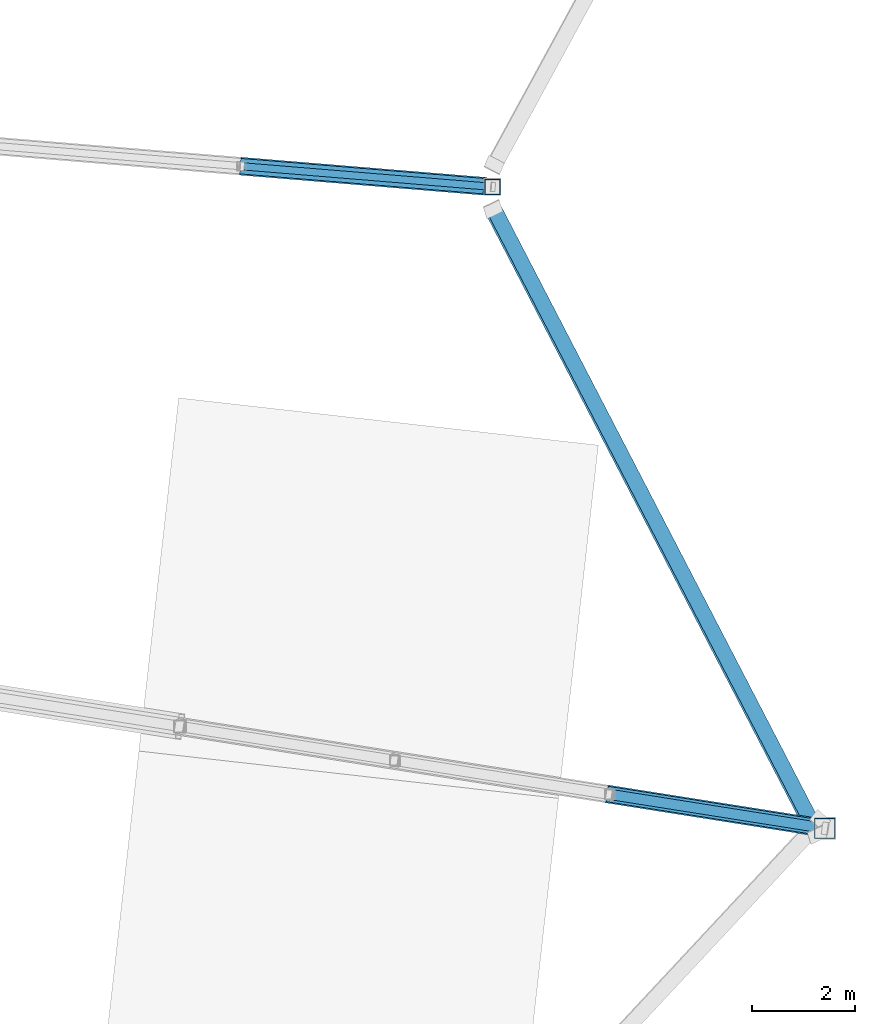
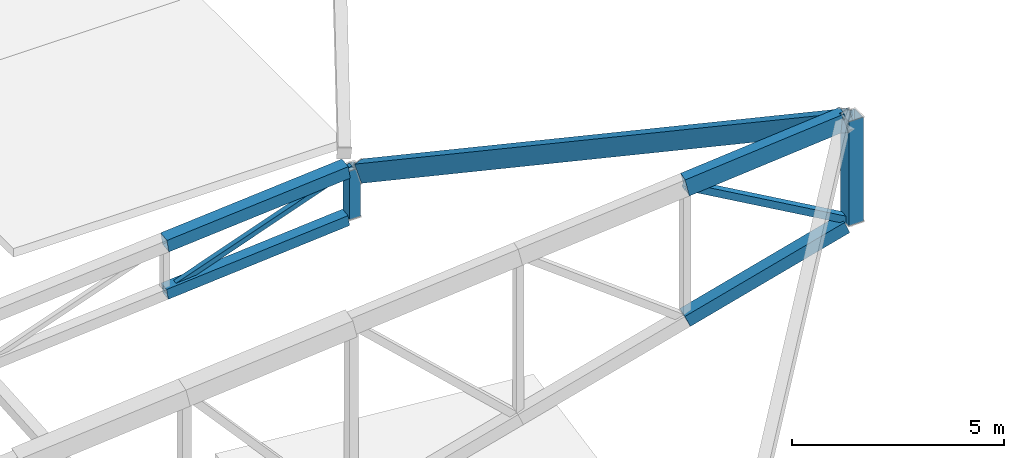
# One storey, part 52 of 188: 8 members, 1 beam.
"""IFC4 building model written with IfcOpenShell, lengths in metres."""

from ifc_helpers import new_model, si_unit, direction, frame, origin, origin_2d, place, context, subcontext, project, spatial, hollow_rectangle, extrude, material, material_profile, profile_set, type_object, element, save


model = new_model("IFC4")

# Units and contexts
model_context = context("Model", 3, precision=1e-05, world=origin(), true_north=direction((0.0, 1.0)))
body_context = subcontext(model_context, "Body", "Model", "MODEL_VIEW")
ifc_project = project(units=[si_unit("LENGTHUNIT", "METRE"), si_unit("AREAUNIT", "SQUARE_METRE"), si_unit("VOLUMEUNIT", "CUBIC_METRE"), si_unit("PLANEANGLEUNIT", "RADIAN"), si_unit("MASSUNIT", "GRAM", prefix="KILO")], contexts=[model_context])

# Site, building, storey
site_placement = place(None, origin())
site = spatial("IfcSite", under=ifc_project, at=site_placement, CompositionType="ELEMENT")
building_placement = place(site_placement, origin())
building = spatial("IfcBuilding", under=site, at=building_placement, Name="Meseta Stadium", CompositionType="ELEMENT")
storey_placement = place(building_placement, frame((0.0, 0.0, 30.0)))
storey = spatial("IfcBuildingStorey", under=building, at=storey_placement, Name="ROOF", CompositionType="ELEMENT", Elevation=30.0)

# Beam
ifc_material_1 = material(Name="Steel S355", Category="steel")
ifc_material_profile_1 = material_profile(ifc_material_1, hollow_rectangle(XDim=0.300048828125, YDim=0.5, WallThickness=0.01611328125, at=origin_2d()), Name="RHS 500x300x16")
ifc_profile_set_1 = profile_set([ifc_material_profile_1], Name="Steel S355")
beam_type = type_object("IfcBeamType", Name="RHS 500x300x16 rim ring beam", PredefinedType="BEAM", material=ifc_profile_set_1)
beam_placement = place(storey_placement, frame((100.89599609375, -56.314697265625, 10.416015625), z_axis=(-0.413927542639, 0.798947238939, -0.436288091559), x_axis=(-0.900185463451, -0.430530938985, 0.065644816761)))
element("IfcBeam", 1, at=beam_placement, inside=storey, type_object=beam_type, Name="RIM RING BEAM 01", PredefinedType="BEAM", context=body_context, shape_type="SweptSolid", body=[
    extrude(hollow_rectangle(XDim=0.300048828125, YDim=0.5, WallThickness=0.01611328125, at=origin_2d()), origin(), (0.0, 0.0, 1.0), 15.176513671875),
])

# Members
ifc_material_2 = material(Name="Steel S355", Category="steel")
ifc_material_profile_2 = material_profile(ifc_material_2, hollow_rectangle(XDim=0.300048828125, YDim=0.5, WallThickness=0.01611328125, at=origin_2d()), Name="RHS 500x300x16")
ifc_profile_set_2 = profile_set([ifc_material_profile_2], Name="Steel S355")
member_type_1 = type_object("IfcMemberType", Name="RHS 500x300x16 top chord", PredefinedType="CHORD", material=ifc_profile_set_2)
member_1_placement = place(storey_placement, frame((96.879638671875, -55.54345703125, 9.4970703125), z_axis=(0.964255453025, -0.152397205165, 0.216763726602), x_axis=(0.156108833712, 0.987739860508, 0.0)))
element("IfcMember", 2, at=member_1_placement, inside=storey, type_object=member_type_1, Name="ROOF TRUSS RT-00 top chord", PredefinedType="CHORD", context=body_context, shape_type="SweptSolid", body=[
    extrude(hollow_rectangle(XDim=0.300048828125, YDim=0.5, WallThickness=0.01611328125, at=origin_2d()), origin(), (0.0, 0.0, 1.0), 4.126708984375),
])
ifc_material_3 = material(Name="Steel S355", Category="steel")
ifc_material_profile_3 = material_profile(ifc_material_3, hollow_rectangle(XDim=0.139892578125, YDim=0.139892578125, WallThickness=0.0048828125, at=origin_2d()), Name="SHS 140x140x5")
ifc_profile_set_3 = profile_set([ifc_material_profile_3], Name="Steel S355")
member_type_2 = type_object("IfcMemberType", Name="SHS 140x140x5 diagonal", PredefinedType="BRACE", material=ifc_profile_set_3)
member_2_placement = place(storey_placement, frame((89.72705078125, -43.349365234375, 1.53369140625), z_axis=(0.913059325546, -0.075066650963, 0.40085866081), x_axis=(0.081937977128, 0.996637430515, 0.0)))
element("IfcMember", 3, at=member_2_placement, inside=storey, type_object=member_type_2, Name="ROOF TRUSS RT-01 diagonal", PredefinedType="BRACE", context=body_context, shape_type="SweptSolid", body=[
    extrude(hollow_rectangle(XDim=0.139892578125, YDim=0.139892578125, WallThickness=0.0048828125, at=origin_2d()), origin(), (0.0, 0.0, 1.0), 5.337158203125),
])
ifc_material_4 = material(Name="Steel S355", Category="steel")
ifc_material_profile_4 = material_profile(ifc_material_4, hollow_rectangle(XDim=0.199951171875, YDim=0.199951171875, WallThickness=0.008056640625, at=origin_2d()), Name="SHS 200x200x8")
ifc_profile_set_4 = profile_set([ifc_material_profile_4], Name="Steel S355")
member_type_3 = type_object("IfcMemberType", Name="SHS 200x200x8 diagonal", PredefinedType="BRACE", material=ifc_profile_set_4)
member_3_placement = place(storey_placement, frame((96.879638671875, -55.54345703125, 9.4970703125), z_axis=(0.887618420205, -0.140292430977, -0.438693029262), x_axis=(0.156116912313, 0.98773858368, 0.0)))
element("IfcMember", 4, at=member_3_placement, inside=storey, type_object=member_type_3, Name="ROOF TRUSS RT-00 diagonal", PredefinedType="BRACE", context=body_context, shape_type="SweptSolid", body=[
    extrude(hollow_rectangle(XDim=0.199951171875, YDim=0.199951171875, WallThickness=0.008056640625, at=origin_2d()), origin(), (0.0, 0.0, 1.0), 4.700439453125),
])
ifc_material_5 = material(Name="Steel S355", Category="steel")
ifc_material_profile_5 = material_profile(ifc_material_5, hollow_rectangle(XDim=0.300048828125, YDim=0.300048828125, WallThickness=0.010009765625, at=origin_2d()), Name="SHS 300x300x10")
ifc_profile_set_5 = profile_set([ifc_material_profile_5], Name="Steel S355")
member_type_4 = type_object("IfcMemberType", Name="SHS 300x300x10 bottom chord", PredefinedType="CHORD", material=ifc_profile_set_5)
member_4_placement = place(storey_placement, frame((89.72705078125, -43.349365234375, 1.53369140625), z_axis=(0.985610926604, -0.081022371821, 0.148345800827), x_axis=(0.081928869648, 0.99663817924, 0.0)))
element("IfcMember", 5, at=member_4_placement, inside=storey, type_object=member_type_4, Name="ROOF TRUSS RT-01 bottom chord", PredefinedType="CHORD", context=body_context, shape_type="SweptSolid", body=[
    extrude(hollow_rectangle(XDim=0.300048828125, YDim=0.300048828125, WallThickness=0.010009765625, at=origin_2d()), origin(), (0.0, 0.0, 1.0), 4.794189453125),
])
ifc_material_6 = material(Name="Steel S355", Category="steel")
ifc_material_profile_6 = material_profile(ifc_material_6, hollow_rectangle(XDim=0.300048828125, YDim=0.300048828125, WallThickness=0.010009765625, at=origin_2d()), Name="SHS 300x300x10")
ifc_profile_set_6 = profile_set([ifc_material_profile_6], Name="Steel S355")
member_type_5 = type_object("IfcMemberType", Name="SHS 300x300x10 rim post", PredefinedType="POST", material=ifc_profile_set_6)
member_5_placement = place(storey_placement, frame((94.60009765625, -43.75, 2.26708984375), z_axis=(0.0, 0.0, 1.0), x_axis=(1.0, 0.0, 0.0)))
element("IfcMember", 6, at=member_5_placement, inside=storey, type_object=member_type_5, Name="ROOF TRUSS RT-01 post", PredefinedType="POST", context=body_context, shape_type="SweptSolid", body=[
    extrude(hollow_rectangle(XDim=0.300048828125, YDim=0.300048828125, WallThickness=0.010009765625, at=origin_2d()), origin(), (0.0, 0.0, 1.0), 1.406005859375),
])
ifc_material_7 = material(Name="Steel S355", Category="steel")
ifc_material_profile_7 = material_profile(ifc_material_7, hollow_rectangle(XDim=0.35009765625, YDim=0.35009765625, WallThickness=0.010009765625, at=origin_2d()), Name="SHS 350x350x10")
ifc_profile_set_7 = profile_set([ifc_material_profile_7], Name="Steel S355")
member_type_6 = type_object("IfcMemberType", Name="SHS 350x350x10 bottom chord", PredefinedType="CHORD", material=ifc_profile_set_7)
member_6_placement = place(storey_placement, frame((96.879638671875, -55.54345703125, 5.663818359375), z_axis=(0.910889792192, -0.143974319742, 0.386718478658), x_axis=(0.156120863334, 0.987737959194, 0.0)))
element("IfcMember", 7, at=member_6_placement, inside=storey, type_object=member_type_6, Name="ROOF TRUSS RT-00 bottom chord", PredefinedType="CHORD", context=body_context, shape_type="SweptSolid", body=[
    extrude(hollow_rectangle(XDim=0.35009765625, YDim=0.35009765625, WallThickness=0.010009765625, at=origin_2d()), origin(), (0.0, 0.0, 1.0), 4.380126953125),
])
ifc_material_8 = material(Name="Steel S355", Category="steel")
ifc_material_profile_8 = material_profile(ifc_material_8, hollow_rectangle(XDim=0.35009765625, YDim=0.35009765625, WallThickness=0.010009765625, at=origin_2d()), Name="SHS 350x350x10")
ifc_profile_set_8 = profile_set([ifc_material_profile_8], Name="Steel S355")
member_type_7 = type_object("IfcMemberType", Name="SHS 350x350x10 top chord", PredefinedType="CHORD", material=ifc_profile_set_8)
member_7_placement = place(storey_placement, frame((89.72705078125, -43.349365234375, 2.939453125), z_axis=(0.985603479539, -0.081021759633, 0.148395605011), x_axis=(0.081928869648, 0.99663817924, 0.0)))
element("IfcMember", 8, at=member_7_placement, inside=storey, type_object=member_type_7, Name="ROOF TRUSS RT-01 top chord", PredefinedType="CHORD", context=body_context, shape_type="SweptSolid", body=[
    extrude(hollow_rectangle(XDim=0.35009765625, YDim=0.35009765625, WallThickness=0.010009765625, at=origin_2d()), origin(), (0.0, 0.0, 1.0), 4.794189453125),
])
ifc_material_9 = material(Name="Steel S355", Category="steel")
ifc_material_profile_9 = material_profile(ifc_material_9, hollow_rectangle(XDim=0.39990234375, YDim=0.39990234375, WallThickness=0.01416015625, at=origin_2d()), Name="SHS 400x400x14.2")
ifc_profile_set_9 = profile_set([ifc_material_profile_9], Name="Steel S355")
member_type_8 = type_object("IfcMemberType", Name="SHS 400x400x14.2 rim post", PredefinedType="POST", material=ifc_profile_set_9)
member_8_placement = place(storey_placement, frame((101.0517578125, -56.202880859375, 7.43505859375), z_axis=(0.0, 0.0, 1.0), x_axis=(1.0, 0.0, 0.0)))
element("IfcMember", 9, at=member_8_placement, inside=storey, type_object=member_type_8, Name="ROOF TRUSS RT-00 post", PredefinedType="POST", context=body_context, shape_type="SweptSolid", body=[
    extrude(hollow_rectangle(XDim=0.39990234375, YDim=0.39990234375, WallThickness=0.01416015625, at=origin_2d()), origin(), (0.0, 0.0, 1.0), 3.0),
])

save(model, "model.ifc")
